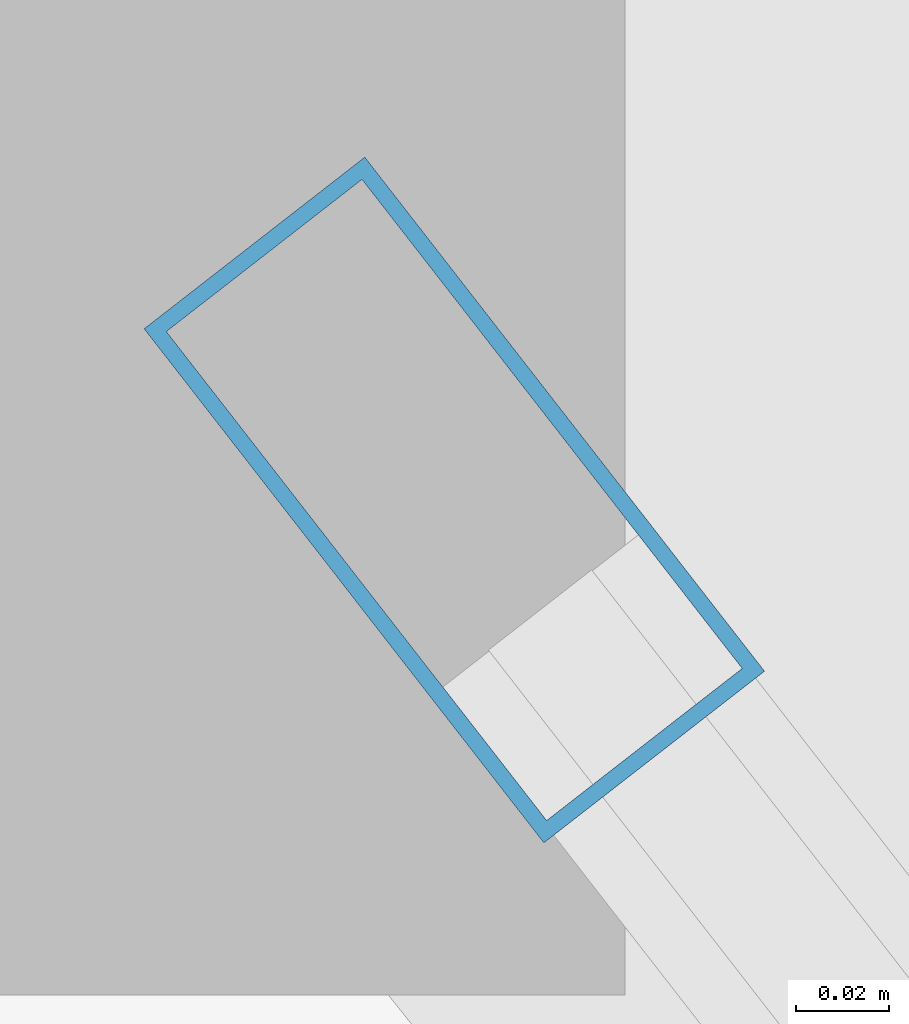
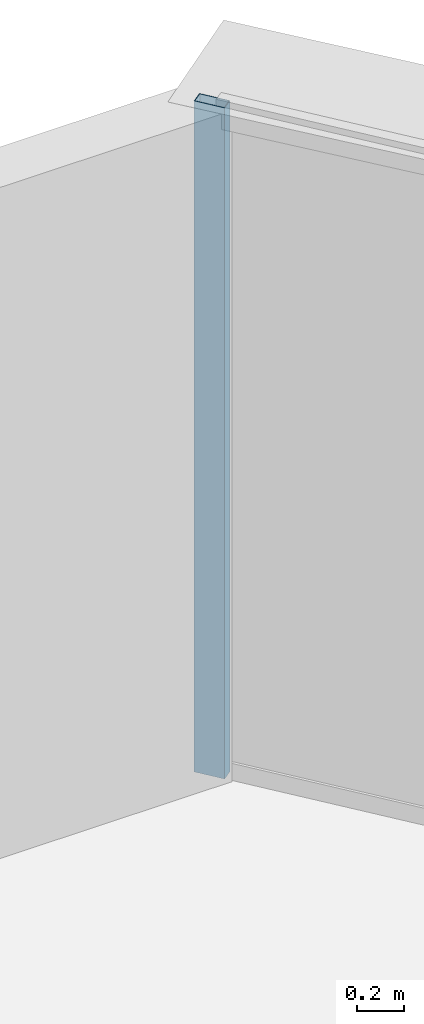
# One storey, part 27 of 35: 1 member, 1 element without a shape of its own.
"""IFC4 building model written with IfcOpenShell, lengths in metres."""

import ifcopenshell
import ifcopenshell.guid

model = None  # the IFC model being written
_history = None  # IfcOwnerHistory: only IFC2X3 demands one
_inside = {}  # id of a spatial element -> (the spatial element, [elements in it])
_under = {}  # id of a project, library or spatial element -> (it, [spatial elements below it])
_declared = {}  # id of a project -> (the project, [libraries it declares])
_typed = {}  # id of a type object -> (the type object, [elements of that type])
_made_of = {}  # id of a material, layer set ... -> (it, [elements and type objects made of it])


def new_model(schema):
    """Start an empty IFC model of exactly this schema.

    Asked for "IFC4X3", IfcOpenShell would pick the latest addendum, in which some entities
    have other attributes; the version numbers below select the first issue.
    IFC2X3 requires an IfcOwnerHistory on every rooted entity: one is made here for all.
    """
    global model, _history
    if schema == "IFC4X3":
        model = ifcopenshell.file(schema_version=(4, 3, 0, 0))
    else:
        model = ifcopenshell.file(schema=schema)
    _inside.clear()
    _under.clear()
    _declared.clear()
    _typed.clear()
    _made_of.clear()
    _history = None
    if model.schema == "IFC2X3":
        org = make("IfcOrganization", Name="unknown")
        user = make(
            "IfcPersonAndOrganization",
            ThePerson=make("IfcPerson", FamilyName="unknown"),
            TheOrganization=org,
        )
        app = make(
            "IfcApplication",
            ApplicationDeveloper=org,
            Version="unknown",
            ApplicationFullName="unknown",
            ApplicationIdentifier="unknown",
        )
        _history = make(
            "IfcOwnerHistory",
            OwningUser=user,
            OwningApplication=app,
            ChangeAction="ADDED",
            CreationDate=0,
        )
    return model


def make(cls, **values):
    """One entity of the class cls with the attributes given. An attribute that is None is left unset."""
    return model.create_entity(
        cls, **{name: value for name, value in values.items() if value is not None}
    )


def rooted(cls, **values):
    """An entity with a GlobalId (a new one), such as an element, a storey or a relation."""
    return make(cls, GlobalId=ifcopenshell.guid.new(), OwnerHistory=_history, **values)


def si_unit(unit_type, name, prefix=None):
    """IfcSIUnit, for example si_unit("LENGTHUNIT", "METRE", prefix="MILLI")."""
    return make("IfcSIUnit", UnitType=unit_type, Prefix=prefix, Name=name)


def assignment(units):
    """IfcUnitAssignment: the units of a project."""
    return None if units is None else make("IfcUnitAssignment", Units=units)


def point(xyz):
    """IfcCartesianPoint."""
    return None if xyz is None else make("IfcCartesianPoint", Coordinates=xyz)


def direction(xyz):
    """IfcDirection."""
    return None if xyz is None else make("IfcDirection", DirectionRatios=xyz)


def frame(location, z_axis=None, x_axis=None):
    """IfcAxis2Placement3D, a coordinate frame: its origin and axes. An axis left out is left unset."""
    return make(
        "IfcAxis2Placement3D",
        Location=point(location),
        Axis=direction(z_axis),
        RefDirection=direction(x_axis),
    )


def frame_2d(location, x_axis=None):
    """IfcAxis2Placement2D, a coordinate frame in the plane: its origin and x axis."""
    return make(
        "IfcAxis2Placement2D", Location=point(location), RefDirection=direction(x_axis)
    )


def origin():
    """The frame at (0, 0, 0) with its axes left unset."""
    return frame((0.0, 0.0, 0.0))


def origin_2d():
    """The frame at (0, 0) in the plane with its x axis left unset."""
    return frame_2d((0.0, 0.0))


def place(relative_to, where):
    """IfcLocalPlacement: puts the frame where relative to a parent placement (None: the world)."""
    return make(
        "IfcLocalPlacement", PlacementRelTo=relative_to, RelativePlacement=where
    )


def context(
    kind, dimensions, precision=None, world=None, true_north=None, identifier=None
):
    """IfcGeometricRepresentationContext, for example the 3D "Model" context."""
    return make(
        "IfcGeometricRepresentationContext",
        ContextIdentifier=identifier,
        ContextType=kind,
        CoordinateSpaceDimension=dimensions,
        Precision=precision,
        WorldCoordinateSystem=world,
        TrueNorth=true_north,
    )


def subcontext(parent, identifier, kind, view, scale=None):
    """IfcGeometricRepresentationSubContext, for example "Body" below "Model"."""
    return make(
        "IfcGeometricRepresentationSubContext",
        ContextIdentifier=identifier,
        ContextType=kind,
        ParentContext=parent,
        TargetScale=scale,
        TargetView=view,
    )


def project(units=None, contexts=None):
    """IfcProject with its units and contexts."""
    return rooted(
        "IfcProject",
        Name="project",
        RepresentationContexts=contexts,
        UnitsInContext=assignment(units),
    )


def spatial(cls, under=None, at=None, **own):
    """A site, building, storey or space (cls), placed at a placement, below another one or the project."""
    s = rooted(cls, ObjectPlacement=at, **own)
    if under is not None:
        _under.setdefault(under.id(), (under, []))[1].append(s)
    return s


def profile(cls, at=None, kind="AREA", **sizes):
    """A parametric profile (cls). Its sizes go by their IFC names, for example OverallWidth=200.0."""
    return make(cls, ProfileType=kind, Position=at, **sizes)


def hollow_rectangle(**sizes):
    """IfcRectangleHollowProfileDef."""
    return profile("IfcRectangleHollowProfileDef", **sizes)


def extrude(swept, where, along, depth):
    """IfcExtrudedAreaSolid: the profile swept, set in the frame where, extruded along a direction by depth."""
    return make(
        "IfcExtrudedAreaSolid",
        SweptArea=swept,
        Position=where,
        ExtrudedDirection=direction(along),
        Depth=depth,
    )


def shape(context_of_items, identifier, shape_type, items):
    """IfcShapeRepresentation: the items that make up one representation, for example the "Body"."""
    return make(
        "IfcShapeRepresentation",
        ContextOfItems=context_of_items,
        RepresentationIdentifier=identifier,
        RepresentationType=shape_type,
        Items=items,
    )


def source(mapping_origin, context_of_items, identifier, shape_type, items):
    """IfcRepresentationMap: a shape defined once, which mapped items show again and again."""
    return make(
        "IfcRepresentationMap",
        MappingOrigin=mapping_origin,
        MappedRepresentation=shape(context_of_items, identifier, shape_type, items),
    )


def transform(
    local_origin,
    x_axis=None,
    y_axis=None,
    z_axis=None,
    scale=None,
    scale2=None,
    scale3=None,
    uniform=True,
):
    """IfcCartesianTransformationOperator3D, or its non-uniform kind. x_axis, y_axis, z_axis: its Axis1, 2, 3."""
    if uniform:
        return make(
            "IfcCartesianTransformationOperator3D",
            Axis1=direction(x_axis),
            Axis2=direction(y_axis),
            LocalOrigin=point(local_origin),
            Scale=scale,
            Axis3=direction(z_axis),
        )
    return make(
        "IfcCartesianTransformationOperator3DnonUniform",
        Axis1=direction(x_axis),
        Axis2=direction(y_axis),
        LocalOrigin=point(local_origin),
        Scale=scale,
        Axis3=direction(z_axis),
        Scale2=scale2,
        Scale3=scale3,
    )


def mapped(mapping_source, mapping_target):
    """IfcMappedItem: shows the shape of a source again, moved by a transform."""
    return make(
        "IfcMappedItem", MappingSource=mapping_source, MappingTarget=mapping_target
    )


def material(Name=None, Category=None):
    """IfcMaterial."""
    return make("IfcMaterial", Name=Name, Category=Category)


def layer(
    of_material, thickness, ventilated=None, Name=None, Category=None, Priority=None
):
    """IfcMaterialLayer: one layer of a wall or slab, of a material (None: an air gap)."""
    return make(
        "IfcMaterialLayer",
        Material=of_material,
        LayerThickness=thickness,
        IsVentilated=ventilated,
        Name=Name,
        Category=Category,
        Priority=Priority,
    )


def layer_set(layers, Name=None):
    """IfcMaterialLayerSet."""
    return make("IfcMaterialLayerSet", MaterialLayers=layers, LayerSetName=Name)


def material_profile(
    of_material, cross_section, Name=None, Category=None, Priority=None
):
    """IfcMaterialProfile: a cross section and its material."""
    return make(
        "IfcMaterialProfile",
        Name=Name,
        Material=of_material,
        Profile=cross_section,
        Priority=Priority,
        Category=Category,
    )


def profile_set(profiles, Name=None, composite=None):
    """IfcMaterialProfileSet."""
    return make(
        "IfcMaterialProfileSet",
        Name=Name,
        MaterialProfiles=profiles,
        CompositeProfile=composite,
    )


def made_of(thing, what):
    """Note that an element or type object is made of a material, layer set ...; save() writes the relation."""
    if what is not None:
        _made_of.setdefault(what.id(), (what, []))[1].append(thing)
    return thing


def type_object(cls, material=None, **own):
    """A type object (cls), such as IfcWallType, which elements share."""
    return made_of(rooted(cls, **own), material)


def element(
    cls,
    number,
    at=None,
    inside=None,
    cuts=None,
    type_object=None,
    material=None,
    context=None,
    identifier="Body",
    shape_type=None,
    held_by="IfcProductDefinitionShape",
    body=None,
    shapes=None,
    **own,
):
    """One element of the class cls, such as IfcWall. Its Tag is "e" and its number.

    at: its placement. inside: the storey or other place that contains it. cuts: it is an
    opening in that element (IfcRelVoidsElement). A single representation is given by context,
    identifier, shape_type and body (its items); several are given by shapes. held_by: the class
    of the entity that holds the representations. save() writes the other relations.
    """
    e = rooted(cls, Tag="e%d" % number, ObjectPlacement=at, **own)
    if body is not None:
        shapes = [shape(context, identifier, shape_type, body)]
    if shapes is not None:
        e.Representation = make(held_by, Representations=shapes)
    if inside is not None:
        _inside.setdefault(inside.id(), (inside, []))[1].append(e)
    if cuts is not None:
        rooted(
            "IfcRelVoidsElement", RelatingBuildingElement=cuts, RelatedOpeningElement=e
        )
    if type_object is not None:
        _typed.setdefault(type_object.id(), (type_object, []))[1].append(e)
    return made_of(e, material)


def aggregate(whole, parts):
    """IfcRelAggregates: a whole, such as a stair, and the parts it consists of."""
    return rooted("IfcRelAggregates", RelatingObject=whole, RelatedObjects=parts)


def save(model, path):
    """Write the relations noted so far, then the file.

    IfcRelAggregates (storeys below a building ...), IfcRelContainedInSpatialStructure (elements
    in a storey), IfcRelDefinesByType, IfcRelAssociatesMaterial and IfcRelDeclares: one each for
    every whole, place, type object, material and project.
    """
    for whole, parts in _under.values():
        aggregate(whole, parts)
    for where, things in _inside.values():
        rooted(
            "IfcRelContainedInSpatialStructure",
            RelatedElements=things,
            RelatingStructure=where,
        )
    for kind, things in _typed.values():
        rooted("IfcRelDefinesByType", RelatedObjects=things, RelatingType=kind)
    for what, things in _made_of.values():
        rooted("IfcRelAssociatesMaterial", RelatedObjects=things, RelatingMaterial=what)
    for by, libraries in _declared.values():
        rooted("IfcRelDeclares", RelatingContext=by, RelatedDefinitions=libraries)
    model.write(path)


model = new_model("IFC4")

# Units and contexts
model_context = context("Model", 3, precision=1e-05, world=origin(), true_north=direction((0.0, 1.0)))
body_context = subcontext(model_context, "Body", "Model", "MODEL_VIEW")
ifc_project = project(units=[si_unit("LENGTHUNIT", "METRE"), si_unit("AREAUNIT", "SQUARE_METRE"), si_unit("VOLUMEUNIT", "CUBIC_METRE"), si_unit("PLANEANGLEUNIT", "RADIAN"), si_unit("MASSUNIT", "GRAM", prefix="KILO"), si_unit("THERMODYNAMICTEMPERATUREUNIT", "KELVIN"), si_unit("POWERUNIT", "WATT")], contexts=[model_context])

# Site, building, storey
site_placement = place(None, origin())
site = spatial("IfcSite", under=ifc_project, at=site_placement, CompositionType="ELEMENT")
building_placement = place(site_placement, origin())
building = spatial("IfcBuilding", under=site, at=building_placement, Name="Yunzhuo Pagoda Commons", CompositionType="ELEMENT")
storey_placement = place(building_placement, frame((0.0, 0.0, 299.93994140625)))
storey = spatial("IfcBuildingStorey", under=building, at=storey_placement, Name="L75", CompositionType="ELEMENT", Elevation=299.93994140625)

# Curtain wall, member
ifc_material = material(Name="Anodized aluminium 6063-T6", Category="aluminium")
ifc_layer = layer(ifc_material, 0.139892578125)
ifc_layer_set = layer_set([ifc_layer], Name="Anodized aluminium 6063-T6")
curtain_wall_type = type_object("IfcCurtainWallType", Name="CW-HI High-Zone Ribbon Curtain Wall", PredefinedType="NOTDEFINED", material=ifc_layer_set)
curtain_wall_placement = place(storey_placement, origin())
curtain_wall = element("IfcCurtainWall", 1, at=curtain_wall_placement, inside=storey, type_object=curtain_wall_type, Name="L75 curtain wall CW-L75-F2B5", PredefinedType="NOTDEFINED")
ifc_material_profile = material_profile(ifc_material, hollow_rectangle(XDim=0.06005859375, YDim=0.139892578125, WallThickness=0.00341796875, at=origin_2d()), Name="Anodized aluminium 6063-T6")
ifc_profile_set = profile_set([ifc_material_profile], Name="Anodized aluminium 6063-T6")
member_type = type_object("IfcMemberType", Name="CW-HI-M Mullion RHS 140x60x3.5", PredefinedType="MULLION", material=ifc_profile_set)
shared_shape = source(origin(), body_context, "Body", "SweptSolid", [
    extrude(hollow_rectangle(XDim=0.06005859375, YDim=0.139892578125, WallThickness=0.00341796875, at=origin_2d()), origin(), (0.0, 0.0, 1.0), 3.469970703125),
])
member_placement = place(storey_placement, frame((51.401123046875, 74.764404296875, 0.0), z_axis=(0.0, 0.0, 1.0), x_axis=(-0.78943032712, -0.613840173517, 0.0)))
member = element("IfcMember", 2, at=member_placement, type_object=member_type, Name="CW mullion 2", PredefinedType="MULLION", context=body_context, shape_type="MappedRepresentation", body=[
    mapped(shared_shape, transform((0.0, 0.0, 0.0), scale=1.0)),
])
aggregate(curtain_wall, [member])

save(model, "model.ifc")
